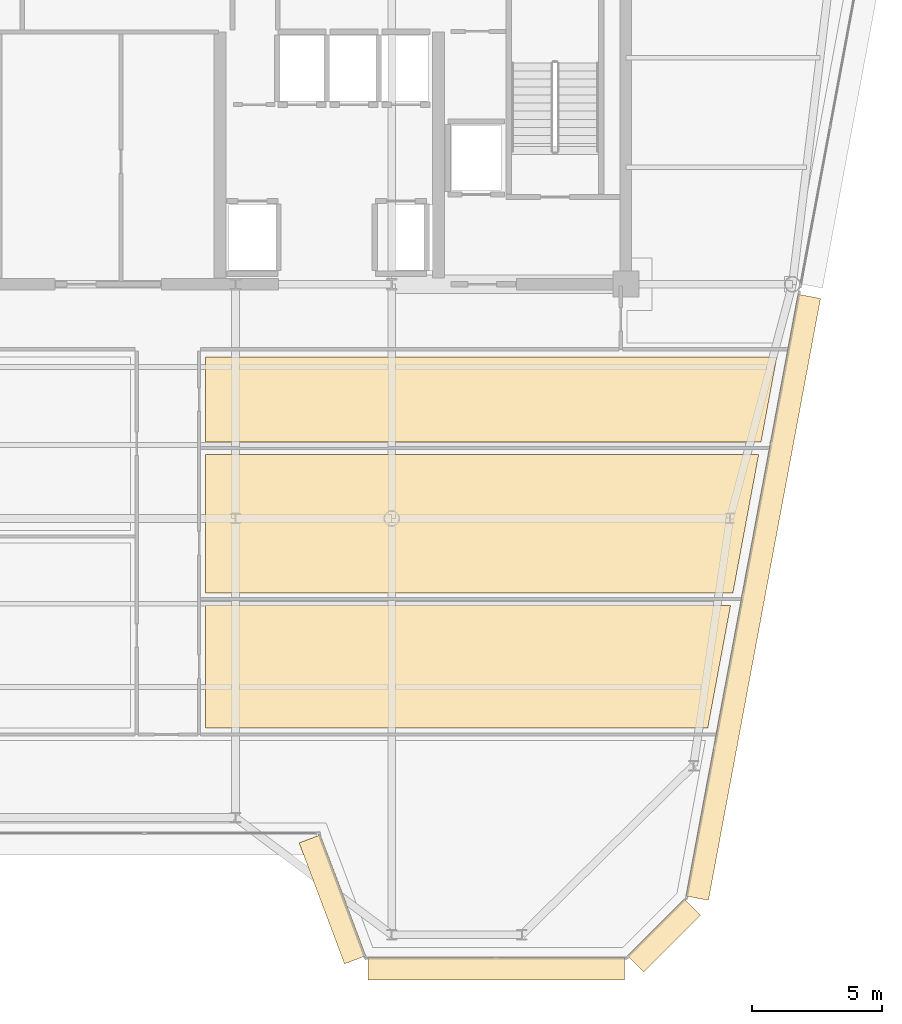
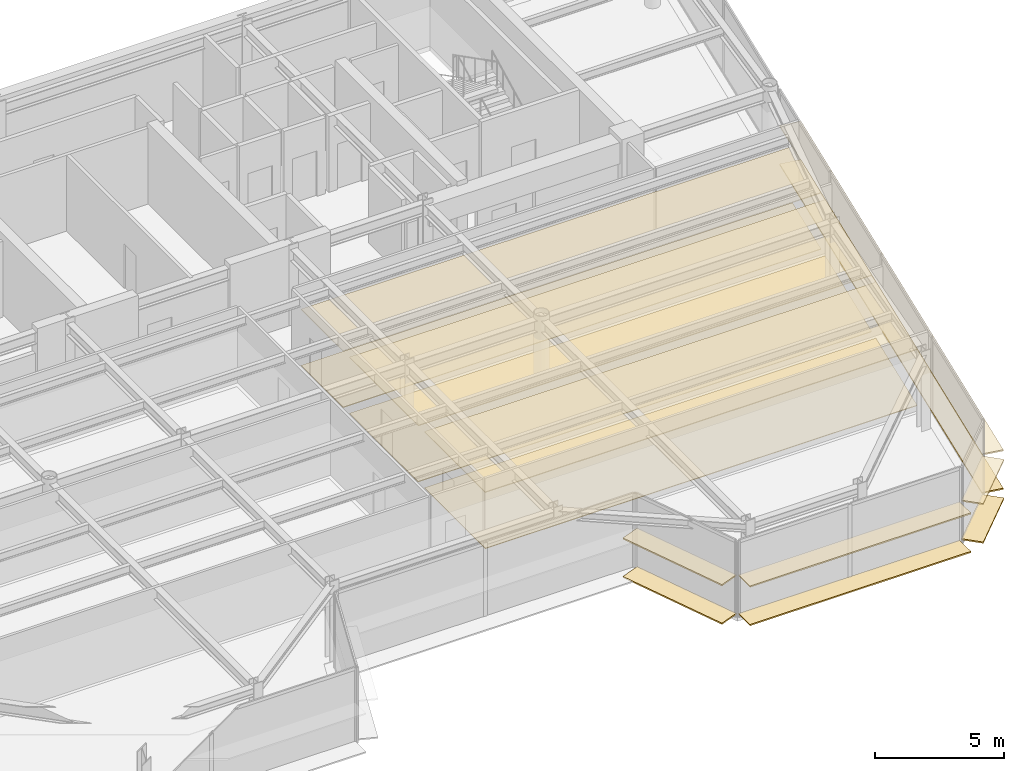
# One storey, part 14 of 18: 14 coverings.
"""IFC4 building model written with IfcOpenShell, lengths in metres."""

from ifc_helpers import new_model, si_unit, direction, frame, origin, origin_2d, place, context, subcontext, project, spatial, polyline, rectangle, outline, extrude, source, transform, mapped, material, layer, layer_set, type_object, element, save


model = new_model("IFC4")

# Units and contexts
model_context = context("Model", 3, precision=1e-05, world=origin(), true_north=direction((0.0, 1.0)))
body_context = subcontext(model_context, "Body", "Model", "MODEL_VIEW")
ifc_project = project(units=[si_unit("LENGTHUNIT", "METRE"), si_unit("AREAUNIT", "SQUARE_METRE"), si_unit("VOLUMEUNIT", "CUBIC_METRE"), si_unit("PLANEANGLEUNIT", "RADIAN"), si_unit("MASSUNIT", "GRAM", prefix="KILO")], contexts=[model_context])

# Site, building, storey
site_placement = place(None, origin())
site = spatial("IfcSite", under=ifc_project, at=site_placement, CompositionType="ELEMENT")
building_placement = place(site_placement, origin())
building = spatial("IfcBuilding", under=site, at=building_placement, Name="Vaeldorn Concourse Tower", CompositionType="ELEMENT")
storey_placement = place(building_placement, frame((0.0, 0.0, 246.0)))
storey = spatial("IfcBuildingStorey", under=building, at=storey_placement, Name="L63", CompositionType="ELEMENT", Elevation=246.0)

# Coverings
ifc_material_1 = material(Name="Acoustic Mineral Fibre Board", Category="gypsum")
ifc_layer_1 = layer(ifc_material_1, 0.0400390625)
ifc_layer_set_1 = layer_set([ifc_layer_1], Name="Acoustic Mineral Fibre Board")
covering_type_1 = type_object("IfcCoveringType", Name="COV-CEIL-ACOUSTIC", PredefinedType="CEILING", material=ifc_layer_set_1)
covering_1_placement = place(storey_placement, frame((0.0, 0.0, 2.64990234375)))
element("IfcCovering", 1, at=covering_1_placement, inside=storey, type_object=covering_type_1, Name="Suspended Acoustic Ceiling L63-7", PredefinedType="CEILING", context=body_context, shape_type="SweptSolid", body=[
    extrude(outline(polyline([(37.840087890625, 19.43994140625), (37.840087890625, 24.159912109375), (58.023681640625, 24.159912109375), (57.14501953125, 19.43994140625), (37.840087890625, 19.43994140625)])), origin(), (0.0, 0.0, 1.0), 0.0400390625),
])
covering_2_placement = place(storey_placement, frame((0.0, 0.0, 2.64990234375)))
element("IfcCovering", 2, at=covering_2_placement, inside=storey, type_object=covering_type_1, Name="Suspended Acoustic Ceiling L63-8", PredefinedType="CEILING", context=body_context, shape_type="SweptSolid", body=[
    extrude(outline(polyline([(37.840087890625, 24.639892578125), (37.840087890625, 29.9599609375), (59.103759765625, 29.9599609375), (58.113037109375, 24.639892578125), (37.840087890625, 24.639892578125)])), origin(), (0.0, 0.0, 1.0), 0.0400390625),
])
covering_3_placement = place(storey_placement, frame((0.0, 0.0, 2.64990234375)))
element("IfcCovering", 3, at=covering_3_placement, inside=storey, type_object=covering_type_1, Name="Suspended Acoustic Ceiling L63-9", PredefinedType="CEILING", context=body_context, shape_type="SweptSolid", body=[
    extrude(outline(polyline([(37.840087890625, 30.43994140625), (37.840087890625, 33.699951171875), (59.800048828125, 33.699951171875), (59.193115234375, 30.43994140625), (37.840087890625, 30.43994140625)])), origin(), (0.0, 0.0, 1.0), 0.0400390625),
])
ifc_material_2 = material(Name="Honed Limestone Terrazzo Flooring", Category="masonry")
ifc_layer_2 = layer(ifc_material_2, 0.0400390625)
ifc_layer_set_2 = layer_set([ifc_layer_2], Name="Honed Limestone Terrazzo Flooring")
covering_type_2 = type_object("IfcCoveringType", Name="COV-FLOOR-STONE", PredefinedType="FLOORING", material=ifc_layer_set_2)
covering_4_placement = place(storey_placement, origin())
element("IfcCovering", 4, at=covering_4_placement, inside=storey, type_object=covering_type_2, Name="Floor Finish Covering L63-7", PredefinedType="FLOORING", context=body_context, shape_type="SweptSolid", body=[
    extrude(outline(polyline([(37.840087890625, 19.43994140625), (37.840087890625, 24.159912109375), (58.023681640625, 24.159912109375), (57.14501953125, 19.43994140625), (37.840087890625, 19.43994140625)])), origin(), (0.0, 0.0, 1.0), 0.030029296875),
])
covering_5_placement = place(storey_placement, origin())
element("IfcCovering", 5, at=covering_5_placement, inside=storey, type_object=covering_type_2, Name="Floor Finish Covering L63-8", PredefinedType="FLOORING", context=body_context, shape_type="SweptSolid", body=[
    extrude(outline(polyline([(37.840087890625, 24.639892578125), (37.840087890625, 29.9599609375), (59.103759765625, 29.9599609375), (58.113037109375, 24.639892578125), (37.840087890625, 24.639892578125)])), origin(), (0.0, 0.0, 1.0), 0.030029296875),
])
covering_6_placement = place(storey_placement, origin())
element("IfcCovering", 6, at=covering_6_placement, inside=storey, type_object=covering_type_2, Name="Floor Finish Covering L63-9", PredefinedType="FLOORING", context=body_context, shape_type="SweptSolid", body=[
    extrude(outline(polyline([(37.840087890625, 30.43994140625), (37.840087890625, 33.699951171875), (59.800048828125, 33.699951171875), (59.193115234375, 30.43994140625), (37.840087890625, 30.43994140625)])), origin(), (0.0, 0.0, 1.0), 0.030029296875),
])
ifc_material_3 = material(Name="Anodised Bronze Aluminium", Category="aluminium")
ifc_layer_3 = layer(ifc_material_3, 0.06494140625)
ifc_layer_set_3 = layer_set([ifc_layer_3], Name="Anodised Bronze Aluminium")
covering_type_3 = type_object("IfcCoveringType", Name="SD-BRONZE-SUNSHADE", PredefinedType="USERDEFINED", material=ifc_layer_set_3)
shared_shape_1 = source(origin(), body_context, "Body", "SweptSolid", [
    extrude(rectangle(XDim=4.96630859375, YDim=0.8798828125, at=origin_2d()), origin(), (0.0, 0.0, 1.0), 0.06494140625),
])
for number, where, z_axis, x_axis, name in (
    (7, (42.7255859375, 12.859619140625, 0.047607421875), (0.0, 0.0, 1.0), (0.351122702609, -0.936329454686, 0.0), "Horizontal Bronze Sunshade L63-E04.1.1"),
    (8, (42.7255859375, 12.859619140625, 1.867431640625), (0.0, 0.0, 1.0), (0.351122702609, -0.936329454686, 0.0), "Horizontal Bronze Sunshade L63-E04.1.2"),
):
    element("IfcCovering", number, at=place(storey_placement, frame(where, z_axis=z_axis, x_axis=x_axis)), inside=storey, type_object=covering_type_3, Name=name, ObjectType="SUNSHADE", PredefinedType="USERDEFINED", context=body_context, shape_type="MappedRepresentation", body=[
        mapped(shared_shape_1, transform((0.0, 0.0, 0.0), scale=1.0)),
    ])
shared_shape_2 = source(origin(), body_context, "Body", "SweptSolid", [
    extrude(rectangle(XDim=3.0927734375, YDim=0.8798828125, at=origin_2d()), origin(), (0.0, 0.0, 1.0), 0.06494140625),
])
for number, where, z_axis, x_axis, name in (
    (9, (55.466796875, 11.46728515625, 0.047607421875), (0.0, 0.0, 1.0), (0.707106781187, 0.707106781187, 0.0), "Horizontal Bronze Sunshade L63-E06.1.1"),
    (10, (55.466796875, 11.46728515625, 1.867431640625), (0.0, 0.0, 1.0), (0.707106781187, 0.707106781187, 0.0), "Horizontal Bronze Sunshade L63-E06.1.2"),
):
    element("IfcCovering", number, at=place(storey_placement, frame(where, z_axis=z_axis, x_axis=x_axis)), inside=storey, type_object=covering_type_3, Name=name, ObjectType="SUNSHADE", PredefinedType="USERDEFINED", context=body_context, shape_type="MappedRepresentation", body=[
        mapped(shared_shape_2, transform((0.0, 0.0, 0.0), scale=1.0)),
    ])
shared_shape_3 = source(origin(), body_context, "Body", "SweptSolid", [
    extrude(rectangle(XDim=23.525146484375, YDim=0.8798828125, at=origin_2d()), origin(), (0.0, 0.0, 1.0), 0.06494140625),
])
for number, where, z_axis, x_axis, name in (
    (11, (58.89501953125, 24.46923828125, 0.047607421875), (0.0, 0.0, 1.0), (0.183059191151, 0.983101893262, 0.0), "Horizontal Bronze Sunshade L63-E07.1.1"),
    (12, (58.89501953125, 24.46923828125, 1.867431640625), (0.0, 0.0, 1.0), (0.183059191151, 0.983101893262, 0.0), "Horizontal Bronze Sunshade L63-E07.1.2"),
):
    element("IfcCovering", number, at=place(storey_placement, frame(where, z_axis=z_axis, x_axis=x_axis)), inside=storey, type_object=covering_type_3, Name=name, ObjectType="SUNSHADE", PredefinedType="USERDEFINED", context=body_context, shape_type="MappedRepresentation", body=[
        mapped(shared_shape_3, transform((0.0, 0.0, 0.0), scale=1.0)),
    ])
shared_shape_4 = source(origin(), body_context, "Body", "SweptSolid", [
    extrude(rectangle(XDim=9.8740234375, YDim=0.8798828125, at=origin_2d()), origin(), (0.0, 0.0, 1.0), 0.06494140625),
])
for number, where, z_axis, x_axis, name in (
    (13, (49.01708984375, 10.199951171875, 0.047607421875), (0.0, 0.0, 1.0), (1.0, 0.0, 0.0), "Horizontal Bronze Sunshade L63-E05.1.1"),
    (14, (49.01708984375, 10.199951171875, 1.867431640625), (0.0, 0.0, 1.0), (1.0, 0.0, 0.0), "Horizontal Bronze Sunshade L63-E05.1.2"),
):
    element("IfcCovering", number, at=place(storey_placement, frame(where, z_axis=z_axis, x_axis=x_axis)), inside=storey, type_object=covering_type_3, Name=name, ObjectType="SUNSHADE", PredefinedType="USERDEFINED", context=body_context, shape_type="MappedRepresentation", body=[
        mapped(shared_shape_4, transform((0.0, 0.0, 0.0), scale=1.0)),
    ])

save(model, "model.ifc")
